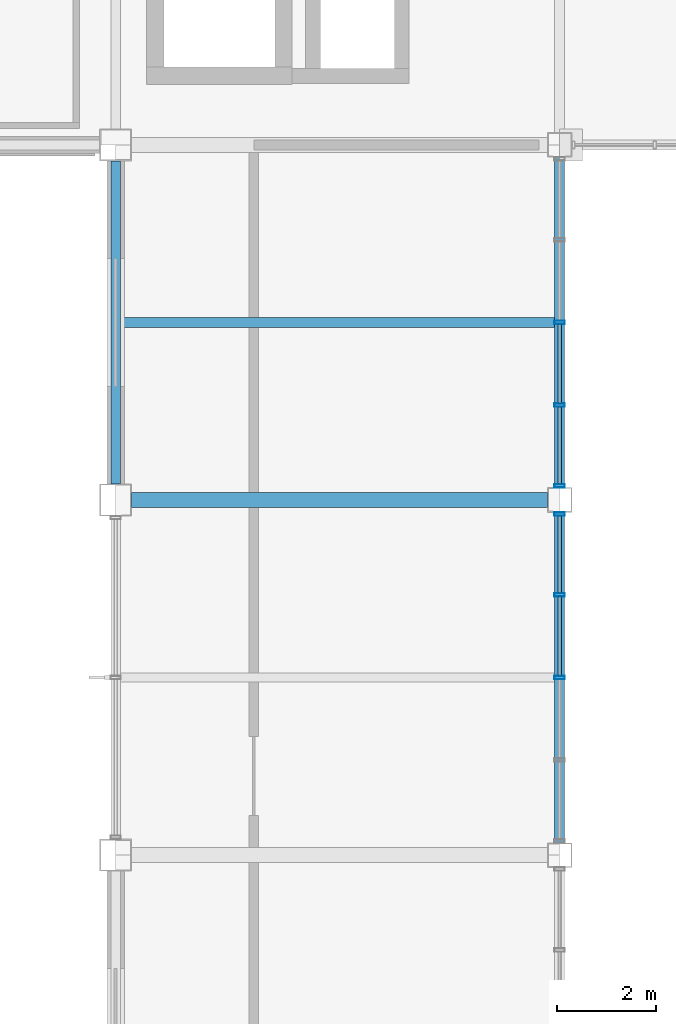
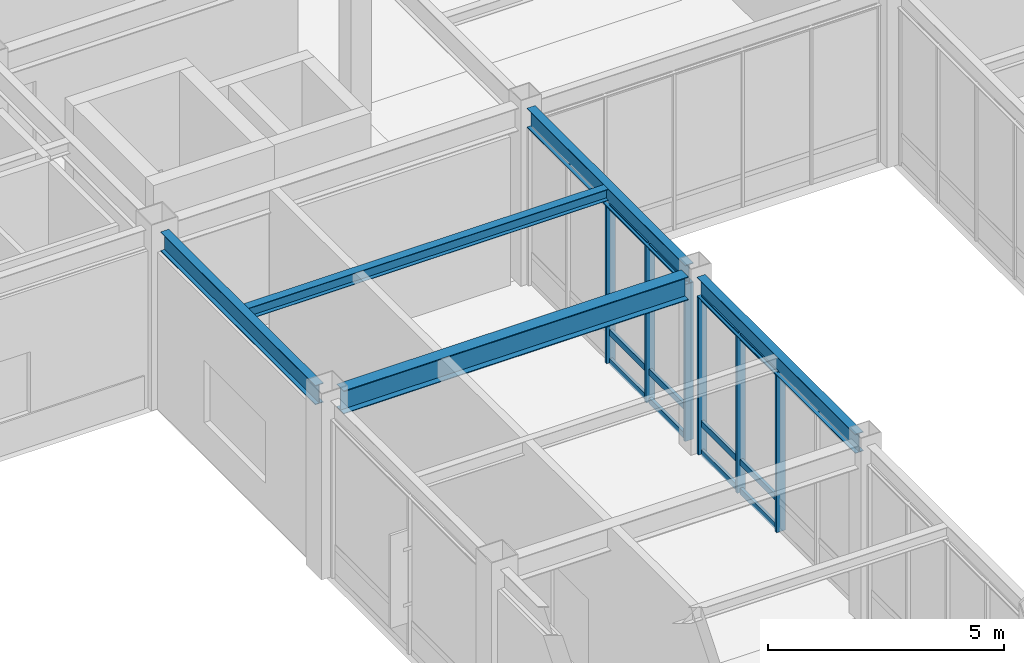
# One storey, part 44 of 112: 18 members, 5 beams, 2 elements without a shape of their own.
"""IFC4 building model written with IfcOpenShell, lengths in metres."""

from ifc_helpers import new_model, si_unit, direction, frame, origin, origin_2d, place, context, subcontext, project, spatial, hollow_rectangle, i_section, extrude, material, material_profile, profile_set, type_object, element, aggregate, save


model = new_model("IFC4")

# Units and contexts
model_context = context("Model", 3, precision=1e-05, world=origin(), true_north=direction((0.0, 1.0)))
body_context = subcontext(model_context, "Body", "Model", "MODEL_VIEW")
ifc_project = project(units=[si_unit("LENGTHUNIT", "METRE"), si_unit("AREAUNIT", "SQUARE_METRE"), si_unit("VOLUMEUNIT", "CUBIC_METRE"), si_unit("PLANEANGLEUNIT", "RADIAN"), si_unit("MASSUNIT", "GRAM", prefix="KILO")], contexts=[model_context])

# Site, building, storey
site_placement = place(None, origin())
site = spatial("IfcSite", under=ifc_project, at=site_placement, CompositionType="ELEMENT")
building_placement = place(site_placement, origin())
building = spatial("IfcBuilding", under=site, at=building_placement, Name="Kazanami Central Library", CompositionType="ELEMENT")
storey_placement = place(building_placement, origin())
storey = spatial("IfcBuildingStorey", under=building, at=storey_placement, Name="L01", CompositionType="ELEMENT", Elevation=0.0)

# Beams
ifc_material_1 = material(Name="Steel SN400B (235 MPa)", Category="steel")
ifc_material_profile_1 = material_profile(ifc_material_1, i_section(OverallWidth=0.199951171875, OverallDepth=0.2939453125, WebThickness=0.008056640625, FlangeThickness=0.011962890625, at=origin_2d()), Name="H-294x200x8x12")
ifc_profile_set_1 = profile_set([ifc_material_profile_1], Name="Steel SN400B (235 MPa)")
beam_type_1 = type_object("IfcBeamType", Name="BM-B-S5", PredefinedType="JOIST", material=ifc_profile_set_1)
beam_1_placement = place(storey_placement, frame((99.097900390625, 61.199951171875, 4.407958984375), z_axis=(1.0, 0.0, 0.0), x_axis=(0.0, 1.0, 0.0)))
element("IfcBeam", 1, at=beam_1_placement, inside=storey, type_object=beam_type_1, Name="Composite Secondary Joist B-S5 L01 Bay 12/J.1", PredefinedType="JOIST", context=body_context, shape_type="SweptSolid", body=[
    extrude(i_section(OverallWidth=0.199951171875, OverallDepth=0.2939453125, WebThickness=0.008056640625, FlangeThickness=0.011962890625, at=origin_2d()), origin(), (0.0, 0.0, 1.0), 8.80419921875),
])
ifc_material_2 = material(Name="Steel SN490B (325 MPa)", Category="steel")
ifc_material_profile_2 = material_profile(ifc_material_2, i_section(OverallWidth=0.300048828125, OverallDepth=0.60009765625, WebThickness=0.011962890625, FlangeThickness=0.02001953125, at=origin_2d()), Name="H-600x300x12x20")
ifc_profile_set_2 = profile_set([ifc_material_profile_2], Name="Steel SN490B (325 MPa)")
beam_type_2 = type_object("IfcBeamType", Name="BM-G-X1", PredefinedType="BEAM", material=ifc_profile_set_2)
beam_2_placement = place(storey_placement, frame((99.322998046875, 57.60009765625, 4.2548828125), z_axis=(1.0, 0.0, 0.0), x_axis=(0.0, 1.0, 0.0)))
element("IfcBeam", 2, at=beam_2_placement, inside=storey, type_object=beam_type_2, Name="Girder G-X1 L01 J/12-13", PredefinedType="BEAM", context=body_context, shape_type="SweptSolid", body=[
    extrude(i_section(OverallWidth=0.300048828125, OverallDepth=0.60009765625, WebThickness=0.011962890625, FlangeThickness=0.02001953125, at=origin_2d()), origin(), (0.0, 0.0, 1.0), 8.428955078125),
])
ifc_material_profile_3 = material_profile(ifc_material_2, i_section(OverallWidth=0.199951171875, OverallDepth=0.5, WebThickness=0.010009765625, FlangeThickness=0.01611328125, at=origin_2d()), Name="H-500x200x10x16")
ifc_profile_set_3 = profile_set([ifc_material_profile_3], Name="Steel SN490B (325 MPa)")
beam_type_3 = type_object("IfcBeamType", Name="BM-SP-1", PredefinedType="SPANDREL", material=ifc_profile_set_3)
beam_3_placement = place(storey_placement, frame((99.0, 57.923095703125, 4.304931640625), z_axis=(0.0, 1.0, 0.0), x_axis=(-1.0, 0.0, 0.0)))
element("IfcBeam", 3, at=beam_3_placement, inside=storey, type_object=beam_type_3, Name="Girder SP-1 L01 12/J-K", PredefinedType="SPANDREL", context=body_context, shape_type="SweptSolid", body=[
    extrude(i_section(OverallWidth=0.199951171875, OverallDepth=0.5, WebThickness=0.010009765625, FlangeThickness=0.01611328125, at=origin_2d()), origin(), (0.0, 0.0, 1.0), 6.553955078125),
])
for number, where, z_axis, x_axis, name in (
    (4, (108.0, 50.64794921875, 4.304931640625), (0.0, 1.0, 0.0), (-1.0, 0.0, 0.0), "Girder SP-1 L01 13/H-J"),
    (5, (108.0, 57.847900390625, 4.304931640625), (0.0, 1.0, 0.0), (-1.0, 0.0, 0.0), "Girder SP-1 L01 13/J-K"),
):
    element("IfcBeam", number, at=place(storey_placement, frame(where, z_axis=z_axis, x_axis=x_axis)), inside=storey, type_object=beam_type_3, Name=name, PredefinedType="SPANDREL", context=body_context, shape_type="SweptSolid", body=[
        extrude(i_section(OverallWidth=0.199951171875, OverallDepth=0.5, WebThickness=0.010009765625, FlangeThickness=0.01611328125, at=origin_2d()), origin(), (0.0, 0.0, 1.0), 6.7041015625),
    ])

# Curtain wall, members
ifc_material_3 = material(Name="Acid-Etched Low-E Laminated Glass", Category="glass")
curtain_wall_type = type_object("IfcCurtainWallType", Name="CW-6700x4055-M180", PredefinedType="USERDEFINED", material=ifc_material_3)
curtain_wall_1_placement = place(storey_placement, origin())
curtain_wall_1 = element("IfcCurtainWall", 6, at=curtain_wall_1_placement, inside=storey, type_object=curtain_wall_type, Name="Covered Link Bridge Curtain Wall CW-09 L01 E-13-07", ObjectType="UNITISED CURTAIN WALL", PredefinedType="USERDEFINED")
ifc_material_4 = material(Name="Anodised Aluminium A6063-T5", Category="aluminium")
ifc_material_profile_4 = material_profile(ifc_material_4, hollow_rectangle(XDim=0.070068359375, YDim=0.2099609375, WallThickness=0.0048828125, at=origin_2d()), Name="ALU-MULL-70x210x5")
ifc_profile_set_4 = profile_set([ifc_material_profile_4], Name="Anodised Aluminium A6063-T5")
member_type_1 = type_object("IfcMemberType", Name="MEM-CW-M1", PredefinedType="MULLION", material=ifc_profile_set_4)
member_1_placement = place(storey_placement, frame((108.0, 57.31494140625, 0.0), z_axis=(0.0, 0.0, 1.0), x_axis=(0.0, -1.0, 0.0)))
member_1 = element("IfcMember", 7, at=member_1_placement, type_object=member_type_1, Name="CW-09 mullion 1", PredefinedType="MULLION", context=body_context, shape_type="SweptSolid", body=[
    extrude(hollow_rectangle(XDim=0.070068359375, YDim=0.2099609375, WallThickness=0.0048828125, at=origin_2d()), origin(), (0.0, 0.0, 1.0), 4.054931640625),
])
member_2_placement = place(storey_placement, frame((108.0, 55.675048828125, 0.0), z_axis=(0.0, 0.0, 1.0), x_axis=(0.0, -1.0, 0.0)))
member_2 = element("IfcMember", 8, at=member_2_placement, type_object=member_type_1, Name="CW-09 mullion 2", PredefinedType="MULLION", context=body_context, shape_type="SweptSolid", body=[
    extrude(hollow_rectangle(XDim=0.070068359375, YDim=0.2099609375, WallThickness=0.0048828125, at=origin_2d()), origin(), (0.0, 0.0, 1.0), 4.054931640625),
])
member_3_placement = place(storey_placement, frame((108.0, 54.0, 0.0), z_axis=(0.0, 0.0, 1.0), x_axis=(0.0, -1.0, 0.0)))
member_3 = element("IfcMember", 9, at=member_3_placement, type_object=member_type_1, Name="CW-09 mullion 3", PredefinedType="MULLION", context=body_context, shape_type="SweptSolid", body=[
    extrude(hollow_rectangle(XDim=0.070068359375, YDim=0.2099609375, WallThickness=0.0048828125, at=origin_2d()), origin(), (0.0, 0.0, 1.0), 4.054931640625),
])

curtain_wall_2_placement = place(storey_placement, origin())
curtain_wall_2 = element("IfcCurtainWall", 10, at=curtain_wall_2_placement, inside=storey, type_object=curtain_wall_type, Name="Covered Link Bridge Curtain Wall CW-09 L01 E-13-08", ObjectType="UNITISED CURTAIN WALL", PredefinedType="USERDEFINED")
member_4_placement = place(storey_placement, frame((108.0, 61.199951171875, 0.0), z_axis=(0.0, 0.0, 1.0), x_axis=(0.0, -1.0, 0.0)))
member_4 = element("IfcMember", 11, at=member_4_placement, type_object=member_type_1, Name="CW-09 mullion 3", PredefinedType="MULLION", context=body_context, shape_type="SweptSolid", body=[
    extrude(hollow_rectangle(XDim=0.070068359375, YDim=0.2099609375, WallThickness=0.0048828125, at=origin_2d()), origin(), (0.0, 0.0, 1.0), 4.054931640625),
])
member_5_placement = place(storey_placement, frame((108.0, 59.52490234375, 0.0), z_axis=(0.0, 0.0, 1.0), x_axis=(0.0, -1.0, 0.0)))
member_5 = element("IfcMember", 12, at=member_5_placement, type_object=member_type_1, Name="CW-09 mullion 4", PredefinedType="MULLION", context=body_context, shape_type="SweptSolid", body=[
    extrude(hollow_rectangle(XDim=0.070068359375, YDim=0.2099609375, WallThickness=0.0048828125, at=origin_2d()), origin(), (0.0, 0.0, 1.0), 4.054931640625),
])
member_6_placement = place(storey_placement, frame((108.0, 57.885009765625, 0.0), z_axis=(0.0, 0.0, 1.0), x_axis=(0.0, -1.0, 0.0)))
member_6 = element("IfcMember", 13, at=member_6_placement, type_object=member_type_1, Name="CW-09 mullion 5", PredefinedType="MULLION", context=body_context, shape_type="SweptSolid", body=[
    extrude(hollow_rectangle(XDim=0.070068359375, YDim=0.2099609375, WallThickness=0.0048828125, at=origin_2d()), origin(), (0.0, 0.0, 1.0), 4.054931640625),
])

# Member
ifc_material_profile_5 = material_profile(ifc_material_4, hollow_rectangle(XDim=0.070068359375, YDim=0.159912109375, WallThickness=0.00390625, at=origin_2d()), Name="ALU-TRAN-70x160x4")
ifc_profile_set_5 = profile_set([ifc_material_profile_5], Name="Anodised Aluminium A6063-T5")
member_type_2 = type_object("IfcMemberType", Name="MEM-CW-T1", PredefinedType="USERDEFINED", material=ifc_profile_set_5)
member_7_placement = place(storey_placement, frame((108.0, 57.280029296875, 0.034912109375), z_axis=(0.0, -1.0, 0.0), x_axis=(1.0, 0.0, 0.0)))
member_7 = element("IfcMember", 14, at=member_7_placement, type_object=member_type_2, Name="CW-09 transom 1.1", ObjectType="TRANSOM", PredefinedType="USERDEFINED", context=body_context, shape_type="SweptSolid", body=[
    extrude(hollow_rectangle(XDim=0.070068359375, YDim=0.159912109375, WallThickness=0.00390625, at=origin_2d()), origin(), (0.0, 0.0, 1.0), 1.570068359375),
])

member_8_placement = place(storey_placement, frame((108.0, 57.280029296875, 0.780029296875), z_axis=(0.0, -1.0, 0.0), x_axis=(1.0, 0.0, 0.0)))
member_8 = element("IfcMember", 15, at=member_8_placement, type_object=member_type_2, Name="CW-09 transom 1.2", ObjectType="TRANSOM", PredefinedType="USERDEFINED", context=body_context, shape_type="SweptSolid", body=[
    extrude(hollow_rectangle(XDim=0.070068359375, YDim=0.159912109375, WallThickness=0.00390625, at=origin_2d()), origin(), (0.0, 0.0, 1.0), 1.570068359375),
])

member_9_placement = place(storey_placement, frame((108.0, 57.280029296875, 4.02001953125), z_axis=(0.0, -1.0, 0.0), x_axis=(1.0, 0.0, 0.0)))
member_9 = element("IfcMember", 16, at=member_9_placement, type_object=member_type_2, Name="CW-09 transom 1.3", ObjectType="TRANSOM", PredefinedType="USERDEFINED", context=body_context, shape_type="SweptSolid", body=[
    extrude(hollow_rectangle(XDim=0.070068359375, YDim=0.159912109375, WallThickness=0.00390625, at=origin_2d()), origin(), (0.0, 0.0, 1.0), 1.570068359375),
])

member_10_placement = place(storey_placement, frame((108.0, 55.639892578125, 0.034912109375), z_axis=(0.0, -1.0, 0.0), x_axis=(1.0, 0.0, 0.0)))
member_10 = element("IfcMember", 17, at=member_10_placement, type_object=member_type_2, Name="CW-09 transom 2.1", ObjectType="TRANSOM", PredefinedType="USERDEFINED", context=body_context, shape_type="SweptSolid", body=[
    extrude(hollow_rectangle(XDim=0.070068359375, YDim=0.159912109375, WallThickness=0.00390625, at=origin_2d()), origin(), (0.0, 0.0, 1.0), 1.60498046875),
])

member_11_placement = place(storey_placement, frame((108.0, 55.639892578125, 0.780029296875), z_axis=(0.0, -1.0, 0.0), x_axis=(1.0, 0.0, 0.0)))
member_11 = element("IfcMember", 18, at=member_11_placement, type_object=member_type_2, Name="CW-09 transom 2.2", ObjectType="TRANSOM", PredefinedType="USERDEFINED", context=body_context, shape_type="SweptSolid", body=[
    extrude(hollow_rectangle(XDim=0.070068359375, YDim=0.159912109375, WallThickness=0.00390625, at=origin_2d()), origin(), (0.0, 0.0, 1.0), 1.60498046875),
])

member_12_placement = place(storey_placement, frame((108.0, 55.639892578125, 4.02001953125), z_axis=(0.0, -1.0, 0.0), x_axis=(1.0, 0.0, 0.0)))
member_12 = element("IfcMember", 19, at=member_12_placement, type_object=member_type_2, Name="CW-09 transom 2.3", ObjectType="TRANSOM", PredefinedType="USERDEFINED", context=body_context, shape_type="SweptSolid", body=[
    extrude(hollow_rectangle(XDim=0.070068359375, YDim=0.159912109375, WallThickness=0.00390625, at=origin_2d()), origin(), (0.0, 0.0, 1.0), 1.60498046875),
])

aggregate(curtain_wall_1, [member_1, member_2, member_3, member_7, member_8, member_9, member_10, member_11, member_12])

member_13_placement = place(storey_placement, frame((108.0, 61.1650390625, 0.034912109375), z_axis=(0.0, -1.0, 0.0), x_axis=(1.0, 0.0, 0.0)))
member_13 = element("IfcMember", 20, at=member_13_placement, type_object=member_type_2, Name="CW-09 transom 3.1", ObjectType="TRANSOM", PredefinedType="USERDEFINED", context=body_context, shape_type="SweptSolid", body=[
    extrude(hollow_rectangle(XDim=0.070068359375, YDim=0.159912109375, WallThickness=0.00390625, at=origin_2d()), origin(), (0.0, 0.0, 1.0), 1.60498046875),
])

member_14_placement = place(storey_placement, frame((108.0, 61.1650390625, 0.780029296875), z_axis=(0.0, -1.0, 0.0), x_axis=(1.0, 0.0, 0.0)))
member_14 = element("IfcMember", 21, at=member_14_placement, type_object=member_type_2, Name="CW-09 transom 3.2", ObjectType="TRANSOM", PredefinedType="USERDEFINED", context=body_context, shape_type="SweptSolid", body=[
    extrude(hollow_rectangle(XDim=0.070068359375, YDim=0.159912109375, WallThickness=0.00390625, at=origin_2d()), origin(), (0.0, 0.0, 1.0), 1.60498046875),
])

member_15_placement = place(storey_placement, frame((108.0, 61.1650390625, 4.02001953125), z_axis=(0.0, -1.0, 0.0), x_axis=(1.0, 0.0, 0.0)))
member_15 = element("IfcMember", 22, at=member_15_placement, type_object=member_type_2, Name="CW-09 transom 3.3", ObjectType="TRANSOM", PredefinedType="USERDEFINED", context=body_context, shape_type="SweptSolid", body=[
    extrude(hollow_rectangle(XDim=0.070068359375, YDim=0.159912109375, WallThickness=0.00390625, at=origin_2d()), origin(), (0.0, 0.0, 1.0), 1.60498046875),
])

member_16_placement = place(storey_placement, frame((108.0, 59.489990234375, 0.034912109375), z_axis=(0.0, -1.0, 0.0), x_axis=(1.0, 0.0, 0.0)))
member_16 = element("IfcMember", 23, at=member_16_placement, type_object=member_type_2, Name="CW-09 transom 4.1", ObjectType="TRANSOM", PredefinedType="USERDEFINED", context=body_context, shape_type="SweptSolid", body=[
    extrude(hollow_rectangle(XDim=0.070068359375, YDim=0.159912109375, WallThickness=0.00390625, at=origin_2d()), origin(), (0.0, 0.0, 1.0), 1.570068359375),
])

member_17_placement = place(storey_placement, frame((108.0, 59.489990234375, 0.780029296875), z_axis=(0.0, -1.0, 0.0), x_axis=(1.0, 0.0, 0.0)))
member_17 = element("IfcMember", 24, at=member_17_placement, type_object=member_type_2, Name="CW-09 transom 4.2", ObjectType="TRANSOM", PredefinedType="USERDEFINED", context=body_context, shape_type="SweptSolid", body=[
    extrude(hollow_rectangle(XDim=0.070068359375, YDim=0.159912109375, WallThickness=0.00390625, at=origin_2d()), origin(), (0.0, 0.0, 1.0), 1.570068359375),
])

member_18_placement = place(storey_placement, frame((108.0, 59.489990234375, 4.02001953125), z_axis=(0.0, -1.0, 0.0), x_axis=(1.0, 0.0, 0.0)))
member_18 = element("IfcMember", 25, at=member_18_placement, type_object=member_type_2, Name="CW-09 transom 4.3", ObjectType="TRANSOM", PredefinedType="USERDEFINED", context=body_context, shape_type="SweptSolid", body=[
    extrude(hollow_rectangle(XDim=0.070068359375, YDim=0.159912109375, WallThickness=0.00390625, at=origin_2d()), origin(), (0.0, 0.0, 1.0), 1.570068359375),
])

aggregate(curtain_wall_2, [member_4, member_5, member_6, member_13, member_14, member_15, member_16, member_17, member_18])

save(model, "model.ifc")
